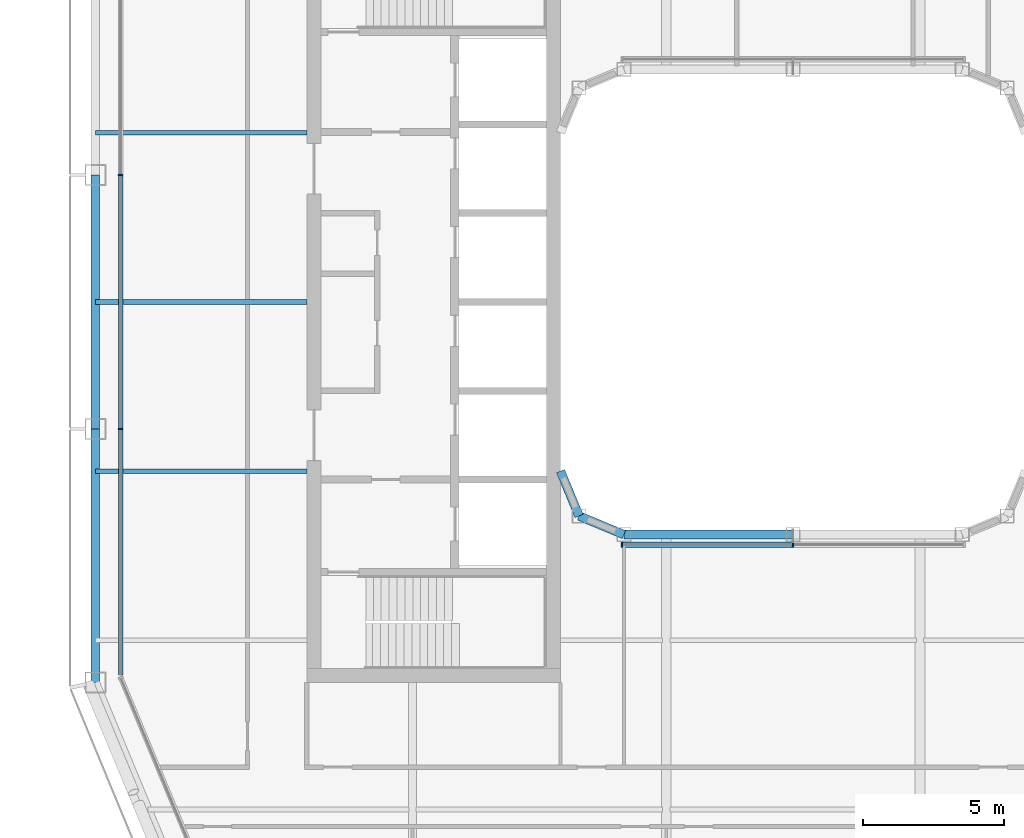
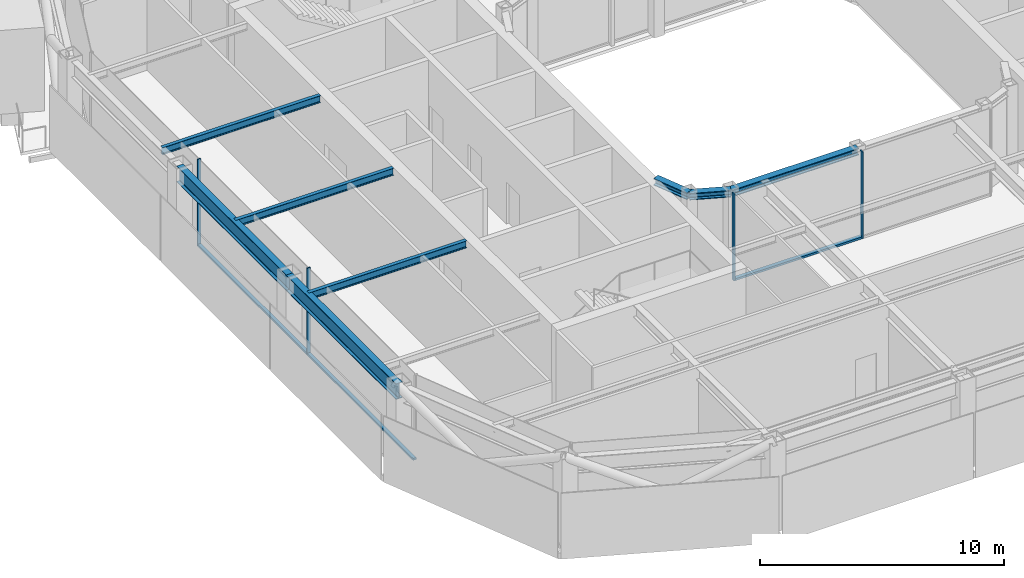
# One storey, part 3 of 21: 8 beams, 7 members, 2 elements without a shape of their own.
"""IFC4 building model written with IfcOpenShell, lengths in metres."""

from ifc_helpers import new_model, si_unit, direction, frame, origin, origin_2d, place, context, subcontext, project, spatial, rectangle, i_section, extrude, material, layer, layer_set, material_profile, profile_set, type_object, element, aggregate, save


model = new_model("IFC4")

# Units and contexts
model_context = context("Model", 3, precision=1e-05, world=origin(), true_north=direction((0.0, 1.0)))
body_context = subcontext(model_context, "Body", "Model", "MODEL_VIEW")
ifc_project = project(units=[si_unit("LENGTHUNIT", "METRE"), si_unit("AREAUNIT", "SQUARE_METRE"), si_unit("VOLUMEUNIT", "CUBIC_METRE"), si_unit("PLANEANGLEUNIT", "RADIAN"), si_unit("MASSUNIT", "GRAM", prefix="KILO")], contexts=[model_context])

# Site, building, storey
site_placement = place(None, origin())
site = spatial("IfcSite", under=ifc_project, at=site_placement, CompositionType="ELEMENT")
building_placement = place(site_placement, origin())
building = spatial("IfcBuilding", under=site, at=building_placement, Name="Siwar Civic Tower", CompositionType="ELEMENT")
storey_placement = place(building_placement, frame((0.0, 0.0, 294.199951171875)))
storey = spatial("IfcBuildingStorey", under=building, at=storey_placement, Name="L63", CompositionType="ELEMENT", Elevation=294.199951171875)

# Curtain wall, members
ifc_material_1 = material(Name="Aluminium and glass", Category="aluminium")
ifc_layer_1 = layer(ifc_material_1, 0.159912109375)
ifc_layer_set_1 = layer_set([ifc_layer_1], Name="Aluminium and glass")
curtain_wall_type_1 = type_object("IfcCurtainWallType", Name="ENV-CW-D", PredefinedType="NOTDEFINED", material=ifc_layer_set_1)
curtain_wall_1_placement = place(storey_placement, origin())
curtain_wall_1 = element("IfcCurtainWall", 1, at=curtain_wall_1_placement, inside=storey, type_object=curtain_wall_type_1, Name="Curtain wall D W", PredefinedType="NOTDEFINED")
ifc_material_2 = material(Name="Aluminium 6063-T6", Category="aluminium")
ifc_material_profile_1 = material_profile(ifc_material_2, rectangle(XDim=0.159912109375, YDim=0.06005859375, at=origin_2d()), Name="AL 160x60")
ifc_profile_set_1 = profile_set([ifc_material_profile_1], Name="Aluminium 6063-T6")
member_type_1 = type_object("IfcMemberType", Name="ENV-MULLION-D", PredefinedType="MULLION", material=ifc_profile_set_1)
member_1_placement = place(storey_placement, frame((-23.85009765625, 4.5, 0.0), z_axis=(0.0, 0.0, 1.0), x_axis=(1.0, 0.0, 0.0)))
member_1 = element("IfcMember", 2, at=member_1_placement, type_object=member_type_1, Name="Mullion D W 2", PredefinedType="MULLION", context=body_context, shape_type="SweptSolid", body=[
    extrude(rectangle(XDim=0.159912109375, YDim=0.06005859375, at=origin_2d()), origin(), (0.0, 0.0, 1.0), 4.35009765625),
])
member_2_placement = place(storey_placement, frame((-23.85009765625, -4.5, 0.0), z_axis=(0.0, 0.0, 1.0), x_axis=(1.0, 0.0, 0.0)))
member_2 = element("IfcMember", 3, at=member_2_placement, type_object=member_type_1, Name="Mullion D W 3", PredefinedType="MULLION", context=body_context, shape_type="SweptSolid", body=[
    extrude(rectangle(XDim=0.159912109375, YDim=0.06005859375, at=origin_2d()), origin(), (0.0, 0.0, 1.0), 4.35009765625),
])

ifc_material_3 = material(Name="Aluminium and glass", Category="aluminium")
ifc_layer_2 = layer(ifc_material_3, 0.179931640625)
ifc_layer_set_2 = layer_set([ifc_layer_2], Name="Aluminium and glass")
curtain_wall_type_2 = type_object("IfcCurtainWallType", Name="ENV-CW-W", PredefinedType="NOTDEFINED", material=ifc_layer_set_2)
curtain_wall_2_placement = place(storey_placement, origin())
curtain_wall_2 = element("IfcCurtainWall", 4, at=curtain_wall_2_placement, inside=storey, type_object=curtain_wall_type_2, Name="Curtain wall W WS", PredefinedType="NOTDEFINED")
ifc_material_4 = material(Name="Aluminium 6063-T6", Category="aluminium")
ifc_material_profile_2 = material_profile(ifc_material_4, rectangle(XDim=0.179931640625, YDim=0.06005859375, at=origin_2d()), Name="AL 180x60")
ifc_profile_set_2 = profile_set([ifc_material_profile_2], Name="Aluminium 6063-T6")
member_type_2 = type_object("IfcMemberType", Name="ENV-MULLION-W", PredefinedType="MULLION", material=ifc_profile_set_2)
member_3_placement = place(storey_placement, frame((-6.071533203125, -8.610107421875, 0.0), z_axis=(0.0, 0.0, 1.0), x_axis=(0.0, 1.0, 0.0)))
member_3 = element("IfcMember", 5, at=member_3_placement, type_object=member_type_2, Name="Mullion W WS 1", PredefinedType="MULLION", context=body_context, shape_type="SweptSolid", body=[
    extrude(rectangle(XDim=0.179931640625, YDim=0.06005859375, at=origin_2d()), origin(), (0.0, 0.0, 1.0), 4.35009765625),
])
member_4_placement = place(storey_placement, frame((0.0, -8.610107421875, 0.0), z_axis=(0.0, 0.0, 1.0), x_axis=(0.0, 1.0, 0.0)))
member_4 = element("IfcMember", 6, at=member_4_placement, type_object=member_type_2, Name="Mullion W WS 2", PredefinedType="MULLION", context=body_context, shape_type="SweptSolid", body=[
    extrude(rectangle(XDim=0.179931640625, YDim=0.06005859375, at=origin_2d()), origin(), (0.0, 0.0, 1.0), 4.35009765625),
])

# Member
ifc_material_5 = material(Name="Aluminium 6063-T6", Category="aluminium")
ifc_material_profile_3 = material_profile(ifc_material_5, rectangle(XDim=0.159912109375, YDim=0.10009765625, at=origin_2d()), Name="AL 160x100")
ifc_profile_set_3 = profile_set([ifc_material_profile_3], Name="Aluminium 6063-T6")
member_type_3 = type_object("IfcMemberType", Name="ENV-TRANSOM-D", PredefinedType="USERDEFINED", material=ifc_profile_set_3)
member_5_placement = place(storey_placement, frame((-23.85009765625, 4.469970703125, 0.050048828125), z_axis=(0.0, -1.0, 0.0), x_axis=(1.0, 0.0, 0.0)))
member_5 = element("IfcMember", 7, at=member_5_placement, type_object=member_type_3, Name="Transom D W 2", ObjectType="TRANSOM", PredefinedType="USERDEFINED", context=body_context, shape_type="SweptSolid", body=[
    extrude(rectangle(XDim=0.159912109375, YDim=0.10009765625, at=origin_2d()), origin(), (0.0, 0.0, 1.0), 8.93994140625),
])

member_6_placement = place(storey_placement, frame((-23.85009765625, -4.530029296875, 0.050048828125), z_axis=(0.0, -1.0, 0.0), x_axis=(1.0, 0.0, 0.0)))
member_6 = element("IfcMember", 8, at=member_6_placement, type_object=member_type_3, Name="Transom D W 3", ObjectType="TRANSOM", PredefinedType="USERDEFINED", context=body_context, shape_type="SweptSolid", body=[
    extrude(rectangle(XDim=0.159912109375, YDim=0.10009765625, at=origin_2d()), origin(), (0.0, 0.0, 1.0), 8.693115234375),
])

aggregate(curtain_wall_1, [member_1, member_2, member_5, member_6])

ifc_material_6 = material(Name="Aluminium 6063-T6", Category="aluminium")
ifc_material_profile_4 = material_profile(ifc_material_6, rectangle(XDim=0.179931640625, YDim=0.10009765625, at=origin_2d()), Name="AL 180x100")
ifc_profile_set_4 = profile_set([ifc_material_profile_4], Name="Aluminium 6063-T6")
member_type_4 = type_object("IfcMemberType", Name="ENV-TRANSOM-W", PredefinedType="USERDEFINED", material=ifc_profile_set_4)
member_7_placement = place(storey_placement, frame((-6.04150390625, -8.610107421875, 0.050048828125), z_axis=(1.0, 0.0, 0.0), x_axis=(0.0, 1.0, 0.0)))
member_7 = element("IfcMember", 9, at=member_7_placement, type_object=member_type_4, Name="Transom W WS 1", ObjectType="TRANSOM", PredefinedType="USERDEFINED", context=body_context, shape_type="SweptSolid", body=[
    extrude(rectangle(XDim=0.179931640625, YDim=0.10009765625, at=origin_2d()), origin(), (0.0, 0.0, 1.0), 6.011474609375),
])

aggregate(curtain_wall_2, [member_3, member_4, member_7])

# Beams
ifc_material_7 = material(Name="Steel S355", Category="steel")
ifc_material_profile_5 = material_profile(ifc_material_7, i_section(OverallWidth=0.169921875, OverallDepth=0.360107421875, WebThickness=0.008056640625, FlangeThickness=0.0126953125, FilletRadius=0.01806640625, at=origin_2d()), Name="IPE360")
ifc_profile_set_5 = profile_set([ifc_material_profile_5], Name="Steel S355")
beam_type_1 = type_object("IfcBeamType", Name="STR-FB-IPE360", PredefinedType="JOIST", material=ifc_profile_set_5)
for number, where, z_axis, x_axis, name in (
    (10, (-24.75, -6.0, 4.170166015625), (1.0, 0.0, 0.0), (0.0, 1.0, 0.0), "L63/bm/F016"),
    (11, (-24.75, 0.0, 4.170166015625), (1.0, 0.0, 0.0), (0.0, 1.0, 0.0), "L63/bm/F018"),
    (12, (-24.75, 6.0, 4.170166015625), (1.0, 0.0, 0.0), (0.0, 1.0, 0.0), "L63/bm/F020"),
):
    element("IfcBeam", number, at=place(storey_placement, frame(where, z_axis=z_axis, x_axis=x_axis)), inside=storey, type_object=beam_type_1, Name=name, PredefinedType="JOIST", context=body_context, shape_type="SweptSolid", body=[
        extrude(i_section(OverallWidth=0.169921875, OverallDepth=0.360107421875, WebThickness=0.008056640625, FlangeThickness=0.0126953125, FilletRadius=0.01806640625, at=origin_2d()), origin(), (0.0, 0.0, 1.0), 7.5),
    ])
ifc_material_8 = material(Name="Steel S355", Category="steel")
ifc_material_profile_6 = material_profile(ifc_material_8, i_section(OverallWidth=0.31005859375, OverallDepth=0.340087890625, WebThickness=0.02099609375, FlangeThickness=0.0390625, FilletRadius=0.027099609375, at=origin_2d()), Name="HEM300")
ifc_profile_set_6 = profile_set([ifc_material_profile_6], Name="Steel S355")
beam_type_2 = type_object("IfcBeamType", Name="STR-RB-HEM300", PredefinedType="BEAM", material=ifc_profile_set_6)
beam_1_placement = place(storey_placement, frame((-7.591064453125, -7.591064453125, 4.179931640625), z_axis=(0.923901072997, -0.382631424892, 0.0), x_axis=(0.382631424892, 0.923901072997, 0.0)))
element("IfcBeam", 13, at=beam_1_placement, inside=storey, type_object=beam_type_2, Name="L63/bm/RS0", PredefinedType="BEAM", context=body_context, shape_type="SweptSolid", body=[
    extrude(i_section(OverallWidth=0.31005859375, OverallDepth=0.340087890625, WebThickness=0.02099609375, FlangeThickness=0.0390625, FilletRadius=0.027099609375, at=origin_2d()), origin(), (0.0, 0.0, 1.0), 1.72216796875),
])
beam_2_placement = place(storey_placement, frame((-6.0, -8.25, 4.179931640625), z_axis=(1.0, 0.0, 0.0), x_axis=(0.0, 1.0, 0.0)))
element("IfcBeam", 14, at=beam_2_placement, inside=storey, type_object=beam_type_2, Name="L63/bm/RS1", PredefinedType="BEAM", context=body_context, shape_type="SweptSolid", body=[
    extrude(i_section(OverallWidth=0.31005859375, OverallDepth=0.340087890625, WebThickness=0.02099609375, FlangeThickness=0.0390625, FilletRadius=0.027099609375, at=origin_2d()), origin(), (0.0, 0.0, 1.0), 6.0),
])
beam_3_placement = place(storey_placement, frame((-7.591064453125, -7.591064453125, 4.179931640625), z_axis=(-0.382631424892, 0.923901072997, 0.0), x_axis=(-0.923901072997, -0.382631424892, 0.0)))
element("IfcBeam", 15, at=beam_3_placement, inside=storey, type_object=beam_type_2, Name="L63/bm/RSEW", PredefinedType="BEAM", context=body_context, shape_type="SweptSolid", body=[
    extrude(i_section(OverallWidth=0.31005859375, OverallDepth=0.340087890625, WebThickness=0.02099609375, FlangeThickness=0.0390625, FilletRadius=0.027099609375, at=origin_2d()), origin(), (0.0, 0.0, 1.0), 1.72216796875),
])
ifc_material_9 = material(Name="Steel S355", Category="steel")
ifc_material_profile_7 = material_profile(ifc_material_9, i_section(OverallWidth=0.300048828125, OverallDepth=0.800048828125, WebThickness=0.017578125, FlangeThickness=0.032958984375, FilletRadius=0.030029296875, at=origin_2d()), Name="HEB800")
ifc_profile_set_7 = profile_set([ifc_material_profile_7], Name="Steel S355")
beam_type_3 = type_object("IfcBeamType", Name="STR-SB-HEB800", PredefinedType="BEAM", material=ifc_profile_set_7)
for number, where, z_axis, x_axis, name in (
    (16, (-24.75, 4.5, 3.949951171875), (0.0, -1.0, 0.0), (1.0, 0.0, 0.0), "L63/bm/SW-1"),
    (17, (-24.75, -4.5, 3.949951171875), (0.0, -1.0, 0.0), (1.0, 0.0, 0.0), "L63/bm/SW-2"),
):
    element("IfcBeam", number, at=place(storey_placement, frame(where, z_axis=z_axis, x_axis=x_axis)), inside=storey, type_object=beam_type_3, Name=name, PredefinedType="BEAM", context=body_context, shape_type="SweptSolid", body=[
        extrude(i_section(OverallWidth=0.300048828125, OverallDepth=0.800048828125, WebThickness=0.017578125, FlangeThickness=0.032958984375, FilletRadius=0.030029296875, at=origin_2d()), origin(), (0.0, 0.0, 1.0), 9.0),
    ])

save(model, "model.ifc")
